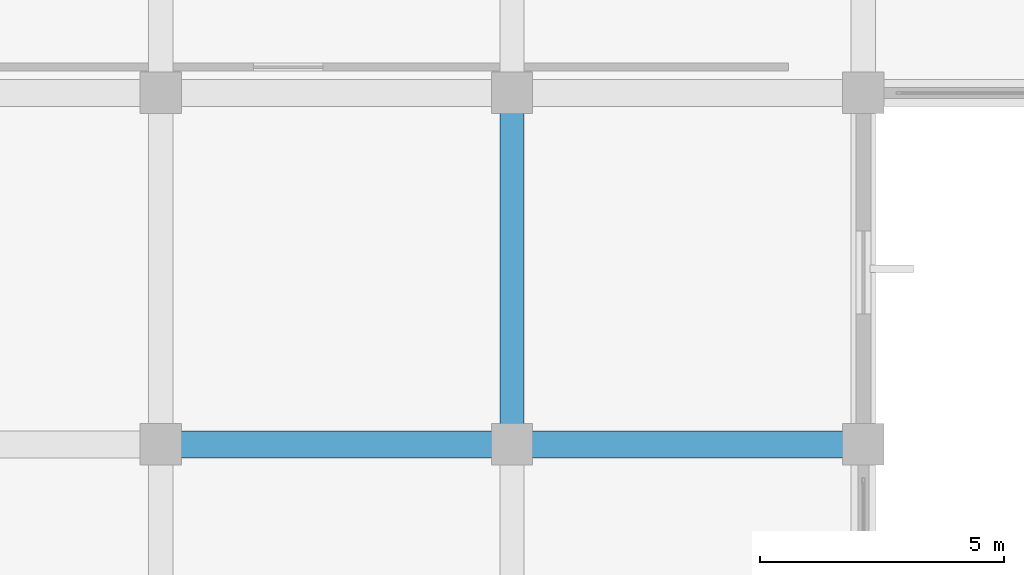
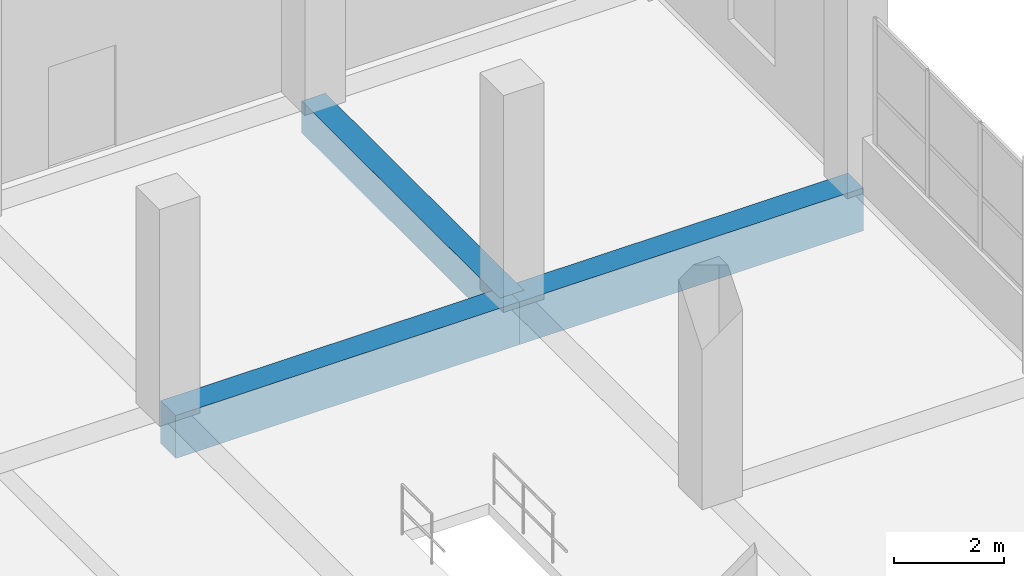
# One storey, part 91 of 181: 3 beams.
"""IFC4 building model written with IfcOpenShell, lengths in metres."""

from ifc_helpers import new_model, si_unit, direction, frame, origin, origin_2d, place, context, subcontext, project, spatial, rectangle, extrude, material, material_profile, profile_set, type_object, element, save


model = new_model("IFC4")

# Units and contexts
model_context = context("Model", 3, precision=1e-05, world=origin(), true_north=direction((0.0, 1.0)))
body_context = subcontext(model_context, "Body", "Model", "MODEL_VIEW")
ifc_project = project(units=[si_unit("LENGTHUNIT", "METRE"), si_unit("AREAUNIT", "SQUARE_METRE"), si_unit("VOLUMEUNIT", "CUBIC_METRE"), si_unit("PLANEANGLEUNIT", "RADIAN"), si_unit("MASSUNIT", "GRAM", prefix="KILO")], contexts=[model_context])

# Site, building, storey
site_placement = place(None, origin())
site = spatial("IfcSite", under=ifc_project, at=site_placement, CompositionType="ELEMENT")
building_placement = place(site_placement, origin())
building = spatial("IfcBuilding", under=site, at=building_placement, Name="Seraya Terrace Polytechnic", CompositionType="ELEMENT")
storey_placement = place(building_placement, frame((0.0, 0.0, 4.800048828125)))
storey = spatial("IfcBuildingStorey", under=building, at=storey_placement, Name="L01", CompositionType="ELEMENT", Elevation=4.800048828125)

# Beams
ifc_material = material(Name="Concrete C40/50", Category="concrete")
ifc_material_profile_1 = material_profile(ifc_material, rectangle(XDim=0.550048828125, YDim=0.949951171875, at=origin_2d()), Name="RC 550x950")
ifc_profile_set_1 = profile_set([ifc_material_profile_1], Name="Concrete C40/50")
beam_type_1 = type_object("IfcBeamType", Name="BM-03", PredefinedType="BEAM", material=ifc_profile_set_1)
for number, where, z_axis, x_axis, name in (
    (1, (93.60009765625, 64.800048828125, -0.47509765625), (1.0, 0.0, 0.0), (0.0, 1.0, 0.0), "Beam BM-03 L01 X (93.6..100.8, 64.8)"),
    (2, (100.800048828125, 64.800048828125, -0.47509765625), (1.0, 0.0, 0.0), (0.0, 1.0, 0.0), "Beam BM-03 L01 X (100.8..108.0, 64.8)"),
):
    element("IfcBeam", number, at=place(storey_placement, frame(where, z_axis=z_axis, x_axis=x_axis)), inside=storey, type_object=beam_type_1, Name=name, PredefinedType="BEAM", context=body_context, shape_type="SweptSolid", body=[
        extrude(rectangle(XDim=0.550048828125, YDim=0.949951171875, at=origin_2d()), origin(), (0.0, 0.0, 1.0), 7.199951171875),
    ])
ifc_material_profile_2 = material_profile(ifc_material, rectangle(XDim=0.5, YDim=0.699951171875, at=origin_2d()), Name="RC 500x700")
ifc_profile_set_2 = profile_set([ifc_material_profile_2], Name="Concrete C40/50")
beam_type_2 = type_object("IfcBeamType", Name="BM-07", PredefinedType="BEAM", material=ifc_profile_set_2)
beam_placement = place(storey_placement, frame((100.800048828125, 64.800048828125, -0.35009765625), z_axis=(0.0, 1.0, 0.0), x_axis=(-1.0, 0.0, 0.0)))
element("IfcBeam", 3, at=beam_placement, inside=storey, type_object=beam_type_2, Name="Beam BM-07 L01 Y (100.8, 64.8..72.0)", PredefinedType="BEAM", context=body_context, shape_type="SweptSolid", body=[
    extrude(rectangle(XDim=0.5, YDim=0.699951171875, at=origin_2d()), origin(), (0.0, 0.0, 1.0), 7.199951171875),
])

save(model, "model.ifc")
